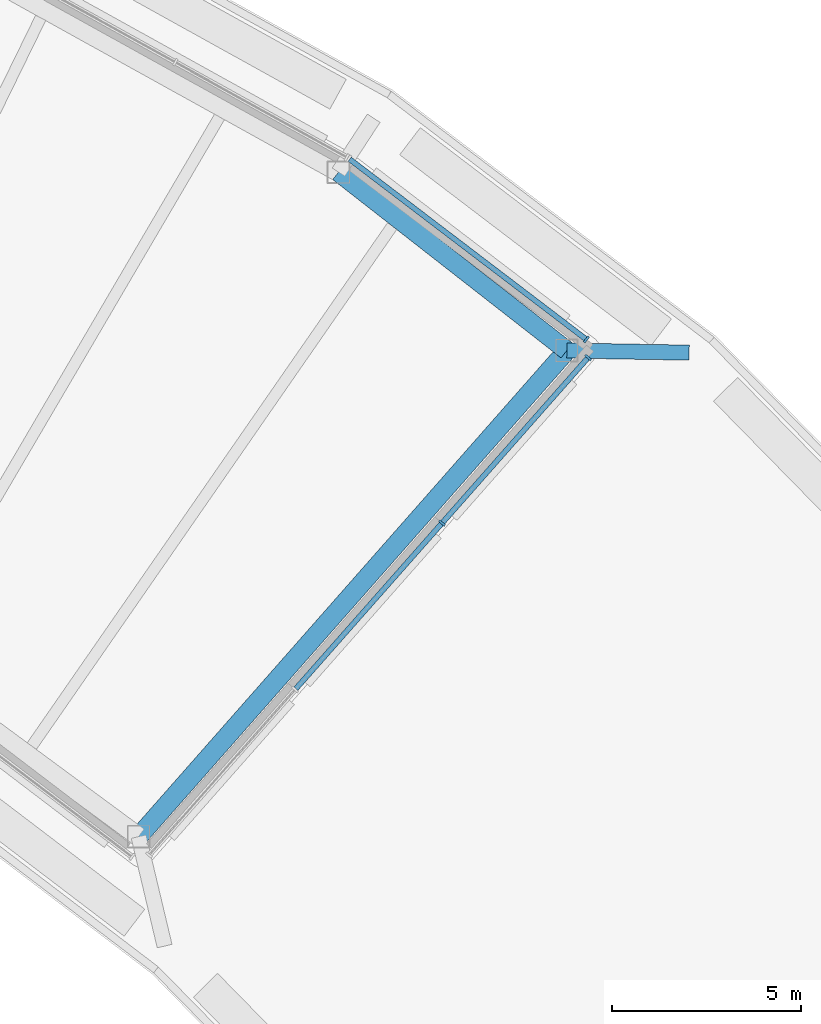
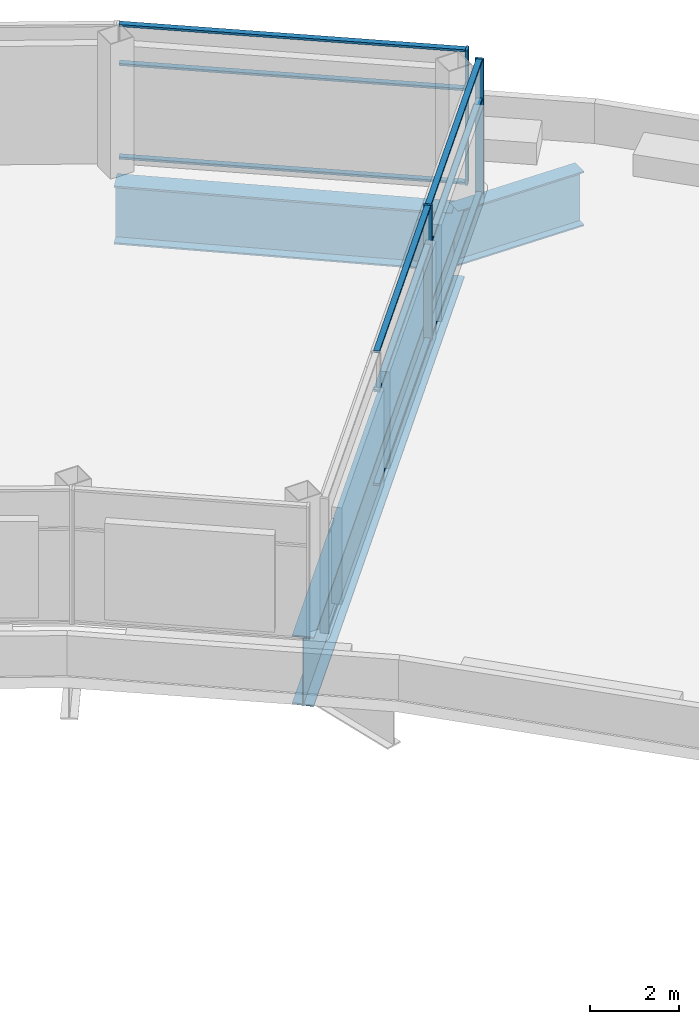
# One storey, part 9 of 17: 12 members, 3 beams, 2 elements without a shape of their own.
"""IFC4 building model written with IfcOpenShell, lengths in metres."""

from ifc_helpers import new_model, si_unit, direction, frame, origin, origin_2d, place, context, subcontext, project, spatial, rectangle, i_section, extrude, material, layer, layer_set, material_profile, profile_set, type_object, element, aggregate, save


model = new_model("IFC4")

# Units and contexts
model_context = context("Model", 3, precision=1e-05, world=origin(), true_north=direction((0.0, 1.0)))
body_context = subcontext(model_context, "Body", "Model", "MODEL_VIEW")
ifc_project = project(units=[si_unit("LENGTHUNIT", "METRE"), si_unit("AREAUNIT", "SQUARE_METRE"), si_unit("VOLUMEUNIT", "CUBIC_METRE"), si_unit("PLANEANGLEUNIT", "RADIAN"), si_unit("MASSUNIT", "GRAM", prefix="KILO")], contexts=[model_context])

# Site, building, storey
site_placement = place(None, origin())
site = spatial("IfcSite", under=ifc_project, at=site_placement, CompositionType="ELEMENT")
building_placement = place(site_placement, origin())
building = spatial("IfcBuilding", under=site, at=building_placement, Name="Tuul Gate Civic Tower", CompositionType="ELEMENT")
storey_placement = place(building_placement, frame((0.0, 0.0, 360.10009765625)))
storey = spatial("IfcBuildingStorey", under=building, at=storey_placement, Name="Crown tier 1 lower", CompositionType="ELEMENT", Elevation=360.10009765625)

# Curtain wall, member
ifc_material_1 = material(Name="Aluminium", Category="aluminium")
ifc_layer = layer(ifc_material_1, 0.199951171875)
ifc_layer_set = layer_set([ifc_layer], Name="Aluminium")
curtain_wall_type = type_object("IfcCurtainWallType", Name="Curtain wall CW5", PredefinedType="NOTDEFINED", material=ifc_layer_set)
curtain_wall_1_placement = place(storey_placement, origin())
curtain_wall_1 = element("IfcCurtainWall", 1, at=curtain_wall_1_placement, inside=storey, type_object=curtain_wall_type, Name="Curtain wall CW5", PredefinedType="NOTDEFINED")
ifc_material_2 = material(Name="Aluminium", Category="aluminium")
ifc_material_profile_1 = material_profile(ifc_material_2, rectangle(XDim=0.199951171875, YDim=0.06005859375, at=origin_2d()), Name="CW5 mullion")
ifc_profile_set_1 = profile_set([ifc_material_profile_1], Name="Aluminium")
member_type_1 = type_object("IfcMemberType", Name="CW5 mullion", PredefinedType="MULLION", material=ifc_profile_set_1)
member_1_placement = place(storey_placement, frame((48.066162109375, -4.308837890625, 0.0), z_axis=(0.0, 0.0, 1.0), x_axis=(-0.605782498172, -0.795630294112, 0.0)))
member_1 = element("IfcMember", 2, at=member_1_placement, type_object=member_type_1, Name="Mullion", PredefinedType="MULLION", context=body_context, shape_type="SweptSolid", body=[
    extrude(rectangle(XDim=0.199951171875, YDim=0.06005859375, at=origin_2d()), origin(), (0.0, 0.0, 1.0), 3.699951171875),
])

# Curtain wall, members
curtain_wall_2_placement = place(storey_placement, origin())
curtain_wall_2 = element("IfcCurtainWall", 3, at=curtain_wall_2_placement, inside=storey, type_object=curtain_wall_type, Name="Curtain wall CW5", PredefinedType="NOTDEFINED")
member_2_placement = place(storey_placement, frame((44.240966796875, -9.17431640625, 0.0), z_axis=(0.0, 0.0, 1.0), x_axis=(-0.749793201681, 0.661672241153, 0.0)))
member_2 = element("IfcMember", 4, at=member_2_placement, type_object=member_type_1, Name="Mullion", PredefinedType="MULLION", context=body_context, shape_type="SweptSolid", body=[
    extrude(rectangle(XDim=0.199951171875, YDim=0.06005859375, at=origin_2d()), origin(), (0.0, 0.0, 1.0), 3.699951171875),
])
member_3_placement = place(storey_placement, frame((48.113037109375, -4.786376953125, 0.0), z_axis=(0.0, 0.0, 1.0), x_axis=(-0.749793201681, 0.661672241153, 0.0)))
member_3 = element("IfcMember", 5, at=member_3_placement, type_object=member_type_1, Name="Mullion", PredefinedType="MULLION", context=body_context, shape_type="SweptSolid", body=[
    extrude(rectangle(XDim=0.199951171875, YDim=0.06005859375, at=origin_2d()), origin(), (0.0, 0.0, 1.0), 3.699951171875),
])

# Member
ifc_material_3 = material(Name="Aluminium", Category="aluminium")
ifc_material_profile_2 = material_profile(ifc_material_3, rectangle(XDim=0.139892578125, YDim=0.06005859375, at=origin_2d()), Name="CW5 transom")
ifc_profile_set_2 = profile_set([ifc_material_profile_2], Name="Aluminium")
member_type_2 = type_object("IfcMemberType", Name="CW5 transom", PredefinedType="USERDEFINED", material=ifc_profile_set_2)
member_4_placement = place(storey_placement, frame((48.042236328125, -4.290771484375, 0.02978515625), z_axis=(-0.795615048979, 0.605802520495, 0.0), x_axis=(-0.605802520495, -0.795615048979, 0.0)))
member_4 = element("IfcMember", 6, at=member_4_placement, type_object=member_type_2, Name="Transom", ObjectType="TRANSOM", PredefinedType="USERDEFINED", context=body_context, shape_type="SweptSolid", body=[
    extrude(rectangle(XDim=0.139892578125, YDim=0.06005859375, at=origin_2d()), origin(), (0.0, 0.0, 1.0), 7.85498046875),
])

member_5_placement = place(storey_placement, frame((48.042236328125, -4.290771484375, 2.599853515625), z_axis=(-0.795615048979, 0.605802520495, 0.0), x_axis=(-0.605802520495, -0.795615048979, 0.0)))
member_5 = element("IfcMember", 7, at=member_5_placement, type_object=member_type_2, Name="Transom", ObjectType="TRANSOM", PredefinedType="USERDEFINED", context=body_context, shape_type="SweptSolid", body=[
    extrude(rectangle(XDim=0.139892578125, YDim=0.06005859375, at=origin_2d()), origin(), (0.0, 0.0, 1.0), 7.85498046875),
])

member_6_placement = place(storey_placement, frame((48.042236328125, -4.290771484375, 3.669921875), z_axis=(-0.795615048979, 0.605802520495, 0.0), x_axis=(-0.605802520495, -0.795615048979, 0.0)))
member_6 = element("IfcMember", 8, at=member_6_placement, type_object=member_type_2, Name="Transom", ObjectType="TRANSOM", PredefinedType="USERDEFINED", context=body_context, shape_type="SweptSolid", body=[
    extrude(rectangle(XDim=0.139892578125, YDim=0.06005859375, at=origin_2d()), origin(), (0.0, 0.0, 1.0), 7.85498046875),
])

aggregate(curtain_wall_1, [member_1, member_4, member_5, member_6])

member_7_placement = place(storey_placement, frame((40.368896484375, -13.562255859375, 0.02978515625), z_axis=(0.661660469075, 0.749803590058, 0.0), x_axis=(-0.749803590058, 0.661660469075, 0.0)))
member_7 = element("IfcMember", 9, at=member_7_placement, type_object=member_type_2, Name="Transom", ObjectType="TRANSOM", PredefinedType="USERDEFINED", context=body_context, shape_type="SweptSolid", body=[
    extrude(rectangle(XDim=0.139892578125, YDim=0.06005859375, at=origin_2d()), origin(), (0.0, 0.0, 1.0), 5.822265625),
])

member_8_placement = place(storey_placement, frame((40.368896484375, -13.562255859375, 2.599853515625), z_axis=(0.661660469075, 0.749803590058, 0.0), x_axis=(-0.749803590058, 0.661660469075, 0.0)))
member_8 = element("IfcMember", 10, at=member_8_placement, type_object=member_type_2, Name="Transom", ObjectType="TRANSOM", PredefinedType="USERDEFINED", context=body_context, shape_type="SweptSolid", body=[
    extrude(rectangle(XDim=0.139892578125, YDim=0.06005859375, at=origin_2d()), origin(), (0.0, 0.0, 1.0), 5.822265625),
])

member_9_placement = place(storey_placement, frame((40.368896484375, -13.562255859375, 3.669921875), z_axis=(0.661660469075, 0.749803590058, 0.0), x_axis=(-0.749803590058, 0.661660469075, 0.0)))
member_9 = element("IfcMember", 11, at=member_9_placement, type_object=member_type_2, Name="Transom", ObjectType="TRANSOM", PredefinedType="USERDEFINED", context=body_context, shape_type="SweptSolid", body=[
    extrude(rectangle(XDim=0.139892578125, YDim=0.06005859375, at=origin_2d()), origin(), (0.0, 0.0, 1.0), 5.822265625),
])

member_10_placement = place(storey_placement, frame((44.2607421875, -9.15185546875, 0.02978515625), z_axis=(0.66168576317, 0.74978126865, 0.0), x_axis=(-0.74978126865, 0.66168576317, 0.0)))
member_10 = element("IfcMember", 12, at=member_10_placement, type_object=member_type_2, Name="Transom", ObjectType="TRANSOM", PredefinedType="USERDEFINED", context=body_context, shape_type="SweptSolid", body=[
    extrude(rectangle(XDim=0.139892578125, YDim=0.06005859375, at=origin_2d()), origin(), (0.0, 0.0, 1.0), 5.7919921875),
])

member_11_placement = place(storey_placement, frame((44.2607421875, -9.15185546875, 2.599853515625), z_axis=(0.66168576317, 0.74978126865, 0.0), x_axis=(-0.74978126865, 0.66168576317, 0.0)))
member_11 = element("IfcMember", 13, at=member_11_placement, type_object=member_type_2, Name="Transom", ObjectType="TRANSOM", PredefinedType="USERDEFINED", context=body_context, shape_type="SweptSolid", body=[
    extrude(rectangle(XDim=0.139892578125, YDim=0.06005859375, at=origin_2d()), origin(), (0.0, 0.0, 1.0), 5.7919921875),
])

member_12_placement = place(storey_placement, frame((44.2607421875, -9.15185546875, 3.669921875), z_axis=(0.66168576317, 0.74978126865, 0.0), x_axis=(-0.74978126865, 0.66168576317, 0.0)))
member_12 = element("IfcMember", 14, at=member_12_placement, type_object=member_type_2, Name="Transom", ObjectType="TRANSOM", PredefinedType="USERDEFINED", context=body_context, shape_type="SweptSolid", body=[
    extrude(rectangle(XDim=0.139892578125, YDim=0.06005859375, at=origin_2d()), origin(), (0.0, 0.0, 1.0), 5.7919921875),
])

aggregate(curtain_wall_2, [member_2, member_3, member_7, member_8, member_9, member_10, member_11, member_12])

# Beams
ifc_material_4 = material(Name="Steel S355", Category="steel")
ifc_material_profile_3 = material_profile(ifc_material_4, i_section(OverallWidth=0.39990234375, OverallDepth=1.5, WebThickness=0.02490234375, FlangeThickness=0.0400390625, at=origin_2d()), Name="PG1500x400x25x40")
ifc_profile_set_3 = profile_set([ifc_material_profile_3], Name="Steel S355")
beam_type_1 = type_object("IfcBeamType", Name="STR-FLOOR BEAM-PG1500x400x25x40", PredefinedType="BEAM", material=ifc_profile_set_3)
beam_1_placement = place(storey_placement, frame((50.7900390625, -4.65771484375, -1.050048828125), z_axis=(-0.999847321655, 0.017473791233, 0.0), x_axis=(-0.017473791233, -0.999847321655, 0.0)))
element("IfcBeam", 15, at=beam_1_placement, inside=storey, type_object=beam_type_1, Name="Ring girder stub", PredefinedType="BEAM", context=body_context, shape_type="SweptSolid", body=[
    extrude(i_section(OverallWidth=0.39990234375, OverallDepth=1.5, WebThickness=0.02490234375, FlangeThickness=0.0400390625, at=origin_2d()), origin(), (0.0, 0.0, 1.0), 3.241455078125),
])
ifc_material_5 = material(Name="Steel S355", Category="steel")
ifc_material_profile_4 = material_profile(ifc_material_5, i_section(OverallWidth=0.5, OverallDepth=1.60009765625, WebThickness=0.02490234375, FlangeThickness=0.044921875, at=origin_2d()), Name="PG1600x500x25x45")
ifc_profile_set_4 = profile_set([ifc_material_profile_4], Name="Steel S355")
beam_type_2 = type_object("IfcBeamType", Name="STR-RING BEAM-PG1600x500x25x45", PredefinedType="BEAM", material=ifc_profile_set_4)
beam_2_placement = place(storey_placement, frame((47.549072265625, -4.60107421875, -1.10009765625), z_axis=(-0.788044136863, 0.615618744319, 0.0), x_axis=(-0.615618744319, -0.788044136863, 0.0)))
element("IfcBeam", 16, at=beam_2_placement, inside=storey, type_object=beam_type_2, Name="Ring girder", PredefinedType="BEAM", context=body_context, shape_type="SweptSolid", body=[
    extrude(i_section(OverallWidth=0.5, OverallDepth=1.60009765625, WebThickness=0.02490234375, FlangeThickness=0.044921875, at=origin_2d()), origin(), (0.0, 0.0, 1.0), 7.678466796875),
])
ifc_material_6 = material(Name="Steel S355", Category="steel")
ifc_material_profile_5 = material_profile(ifc_material_6, i_section(OverallWidth=0.5, OverallDepth=1.89990234375, WebThickness=0.02490234375, FlangeThickness=0.0400390625, at=origin_2d()), Name="PG1900x500x25x40")
ifc_profile_set_5 = profile_set([ifc_material_profile_5], Name="Steel S355")
beam_type_3 = type_object("IfcBeamType", Name="STR-RING BEAM-PG1900x500x25x40", PredefinedType="BEAM", material=ifc_profile_set_5)
beam_3_placement = place(storey_placement, frame((36.200927734375, -17.48291015625, -1.25), z_axis=(0.661025967606, 0.750363025575, 0.0), x_axis=(-0.750363025575, 0.661025967606, 0.0)))
element("IfcBeam", 17, at=beam_3_placement, inside=storey, type_object=beam_type_3, Name="Ring girder", PredefinedType="BEAM", context=body_context, shape_type="SweptSolid", body=[
    extrude(i_section(OverallWidth=0.5, OverallDepth=1.89990234375, WebThickness=0.02490234375, FlangeThickness=0.0400390625, at=origin_2d()), origin(), (0.0, 0.0, 1.0), 17.16748046875),
])

save(model, "model.ifc")
